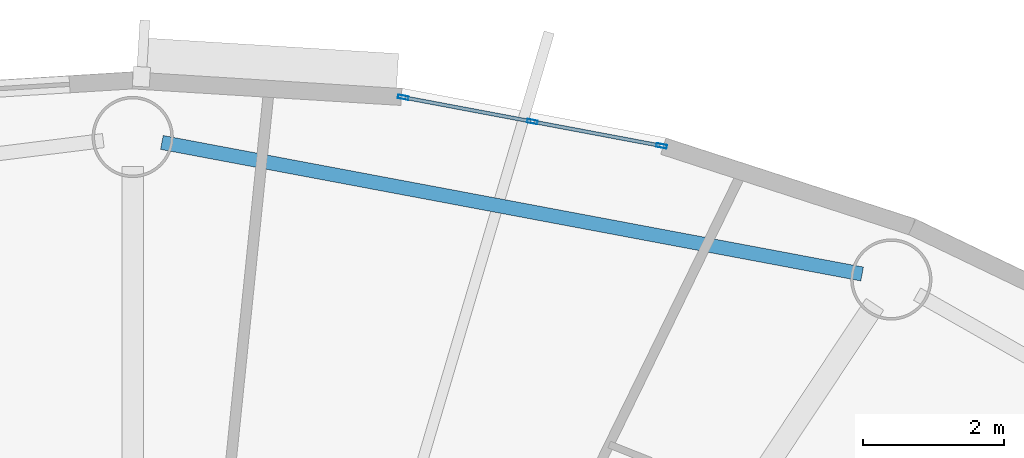
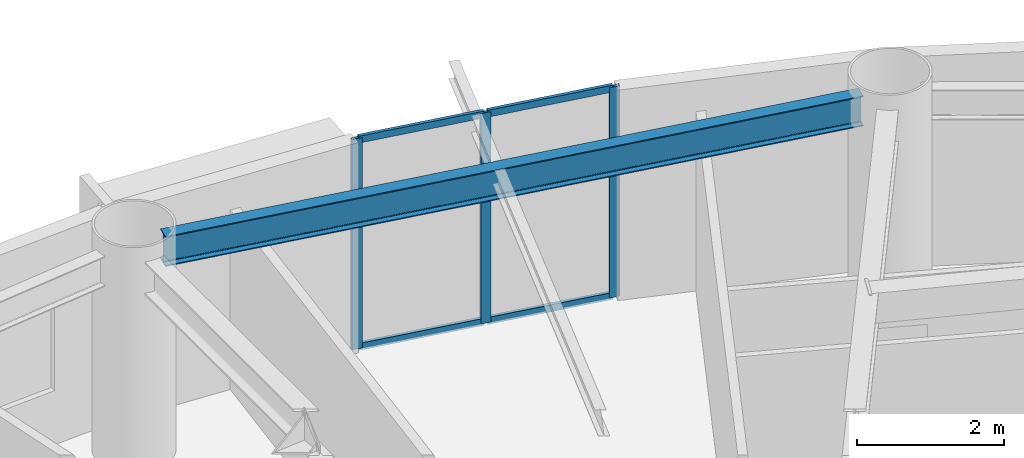
# One storey, part 5 of 21: 7 members, 1 beam, 1 element without a shape of its own.
"""IFC4 building model written with IfcOpenShell, lengths in metres."""

from ifc_helpers import new_model, si_unit, direction, frame, origin, origin_2d, place, context, subcontext, project, spatial, hollow_rectangle, i_section, extrude, source, transform, mapped, material, layer, layer_set, material_profile, profile_set, type_object, element, aggregate, save


model = new_model("IFC4")

# Units and contexts
model_context = context("Model", 3, precision=1e-05, world=origin(), true_north=direction((0.0, 1.0)))
body_context = subcontext(model_context, "Body", "Model", "MODEL_VIEW")
ifc_project = project(units=[si_unit("LENGTHUNIT", "METRE"), si_unit("AREAUNIT", "SQUARE_METRE"), si_unit("VOLUMEUNIT", "CUBIC_METRE"), si_unit("PLANEANGLEUNIT", "RADIAN"), si_unit("MASSUNIT", "GRAM", prefix="KILO")], contexts=[model_context])

# Site, building, storey
site_placement = place(None, origin())
site = spatial("IfcSite", under=ifc_project, at=site_placement, CompositionType="ELEMENT")
building_placement = place(site_placement, origin())
building = spatial("IfcBuilding", under=site, at=building_placement, Name="Linh Dai School and Residence Tower", CompositionType="ELEMENT")
storey_placement = place(building_placement, frame((0.0, 0.0, 229.050048828125)))
storey = spatial("IfcBuildingStorey", under=building, at=storey_placement, Name="L56", CompositionType="ELEMENT", Elevation=229.050048828125)

# Beam
ifc_material_1 = material(Name="Structural Steel S355JR", Category="steel")
ifc_material_profile_1 = material_profile(ifc_material_1, i_section(OverallWidth=0.199951171875, OverallDepth=0.5, WebThickness=0.01025390625, FlangeThickness=0.01611328125, FilletRadius=0.02099609375, at=origin_2d()), Name="IPE 500")
ifc_profile_set_1 = profile_set([ifc_material_profile_1], Name="Structural Steel S355JR")
beam_type = type_object("IfcBeamType", Name="BM-RB50", PredefinedType="BEAM", material=ifc_profile_set_1)
beam_placement = place(storey_placement, frame((46.32177734375, 43.240966796875, 3.25), z_axis=(-0.982806607762, 0.184637947722, 0.0), x_axis=(-0.184637947722, -0.982806607762, 0.0)))
element("IfcBeam", 1, at=beam_placement, inside=storey, type_object=beam_type, Name="L56 Perimeter Elliptical Ring Beam 04", PredefinedType="BEAM", context=body_context, shape_type="SweptSolid", body=[
    extrude(i_section(OverallWidth=0.199951171875, OverallDepth=0.5, WebThickness=0.01025390625, FlangeThickness=0.01611328125, FilletRadius=0.02099609375, at=origin_2d()), origin(), (0.0, 0.0, 1.0), 10.082275390625),
])

# Curtain wall, members
ifc_material_2 = material(Name="Aluminium Anodised Curtain Wall", Category="aluminium")
ifc_layer = layer(ifc_material_2, 0.14990234375)
ifc_layer_set = layer_set([ifc_layer], Name="Aluminium Anodised Curtain Wall")
curtain_wall_type = type_object("IfcCurtainWallType", Name="CW-SYS-4", PredefinedType="USERDEFINED", material=ifc_layer_set)
curtain_wall_placement = place(storey_placement, origin())
curtain_wall = element("IfcCurtainWall", 2, at=curtain_wall_placement, inside=storey, type_object=curtain_wall_type, Name="L56 CW4 Curtain Wall 09", ObjectType="RIBBON CURTAIN WALL", PredefinedType="USERDEFINED")
ifc_material_3 = material(Name="Aluminium Alloy 6063-T6", Category="aluminium")
ifc_material_profile_2 = material_profile(ifc_material_3, hollow_rectangle(XDim=0.052001953125, YDim=0.14990234375, WallThickness=0.00390625, at=origin_2d()), Name="RHS 150x52x4")
ifc_profile_set_2 = profile_set([ifc_material_profile_2], Name="Aluminium Alloy 6063-T6")
member_type_1 = type_object("IfcMemberType", Name="CW-SYS-4-MUL", PredefinedType="MULLION", material=ifc_profile_set_2)
shared_shape_1 = source(origin(), body_context, "Body", "SweptSolid", [
    extrude(hollow_rectangle(XDim=0.052001953125, YDim=0.14990234375, WallThickness=0.00390625, at=origin_2d()), origin(), (0.0, 0.0, 1.0), 3.5),
])
member_1_placement = place(storey_placement, frame((39.8271484375, 45.740966796875, 0.0), z_axis=(0.0, 0.0, 1.0), x_axis=(0.18474448537, 0.982786586765, 0.0)))
member_1 = element("IfcMember", 3, at=member_1_placement, type_object=member_type_1, Name="CW4 mullion 1", PredefinedType="MULLION", context=body_context, shape_type="MappedRepresentation", body=[
    mapped(shared_shape_1, transform((0.0, 0.0, 0.0), x_axis=(1.0, 0.0, 0.0), y_axis=(0.0, 1.0, 0.0), z_axis=(0.0, 0.0, 1.0), scale=1.0)),
])
member_2_placement = place(storey_placement, frame((41.655517578125, 45.397216796875, 0.0), z_axis=(0.0, 0.0, 1.0), x_axis=(0.18474448537, 0.982786586765, 0.0)))
member_2 = element("IfcMember", 4, at=member_2_placement, type_object=member_type_1, Name="CW4 mullion 2", PredefinedType="MULLION", context=body_context, shape_type="MappedRepresentation", body=[
    mapped(shared_shape_1, transform((0.0, 0.0, 0.0), x_axis=(1.0, 0.0, 0.0), y_axis=(0.0, 1.0, 0.0), z_axis=(0.0, 0.0, 1.0), scale=1.0)),
])
member_3_placement = place(storey_placement, frame((43.483642578125, 45.0537109375, 0.0), z_axis=(0.0, 0.0, 1.0), x_axis=(0.18474448537, 0.982786586765, 0.0)))
member_3 = element("IfcMember", 5, at=member_3_placement, type_object=member_type_1, Name="CW4 mullion 3", PredefinedType="MULLION", context=body_context, shape_type="MappedRepresentation", body=[
    mapped(shared_shape_1, transform((0.0, 0.0, 0.0), x_axis=(1.0, 0.0, 0.0), y_axis=(0.0, 1.0, 0.0), z_axis=(0.0, 0.0, 1.0), scale=1.0)),
])
ifc_material_profile_3 = material_profile(ifc_material_3, hollow_rectangle(XDim=0.052001953125, YDim=0.114990234375, WallThickness=0.00390625, at=origin_2d()), Name="RHS 115x52x4")
ifc_profile_set_3 = profile_set([ifc_material_profile_3], Name="Aluminium Alloy 6063-T6")
member_type_2 = type_object("IfcMemberType", Name="CW-SYS-4-TRN", PredefinedType="USERDEFINED", material=ifc_profile_set_3)
shared_shape_2 = source(origin(), body_context, "Body", "SweptSolid", [
    extrude(hollow_rectangle(XDim=0.052001953125, YDim=0.114990234375, WallThickness=0.00390625, at=origin_2d()), origin(), (0.0, 0.0, 1.0), 1.80810546875),
])
member_4_placement = place(storey_placement, frame((39.852783203125, 45.736083984375, 0.02587890625), z_axis=(0.982794145363, -0.184704271309, 0.0), x_axis=(0.184704271309, 0.982794145363, 0.0)))
member_4 = element("IfcMember", 6, at=member_4_placement, type_object=member_type_2, Name="CW4 transom 1.1", ObjectType="TRANSOM", PredefinedType="USERDEFINED", context=body_context, shape_type="MappedRepresentation", body=[
    mapped(shared_shape_2, transform((0.0, 0.0, 0.0), x_axis=(1.0, 0.0, 0.0), y_axis=(0.0, 1.0, 0.0), z_axis=(0.0, 0.0, 1.0), scale=1.0)),
])
member_5_placement = place(storey_placement, frame((39.852783203125, 45.736083984375, 3.473876953125), z_axis=(0.982794145363, -0.184704271309, 0.0), x_axis=(0.184704271309, 0.982794145363, 0.0)))
member_5 = element("IfcMember", 7, at=member_5_placement, type_object=member_type_2, Name="CW4 transom 1.2", ObjectType="TRANSOM", PredefinedType="USERDEFINED", context=body_context, shape_type="MappedRepresentation", body=[
    mapped(shared_shape_2, transform((0.0, 0.0, 0.0), x_axis=(1.0, 0.0, 0.0), y_axis=(0.0, 1.0, 0.0), z_axis=(0.0, 0.0, 1.0), scale=1.0)),
])
shared_shape_3 = source(origin(), body_context, "Body", "SweptSolid", [
    extrude(hollow_rectangle(XDim=0.052001953125, YDim=0.114990234375, WallThickness=0.00390625, at=origin_2d()), origin(), (0.0, 0.0, 1.0), 1.808349609375),
])
member_6_placement = place(storey_placement, frame((41.680908203125, 45.392578125, 0.02587890625), z_axis=(0.982769628055, -0.184834677951, 0.0), x_axis=(0.184834677951, 0.982769628055, 0.0)))
member_6 = element("IfcMember", 8, at=member_6_placement, type_object=member_type_2, Name="CW4 transom 2.1", ObjectType="TRANSOM", PredefinedType="USERDEFINED", context=body_context, shape_type="MappedRepresentation", body=[
    mapped(shared_shape_3, transform((0.0, 0.0, 0.0), x_axis=(1.0, 0.0, 0.0), y_axis=(0.0, 1.0, 0.0), z_axis=(0.0, 0.0, 1.0), scale=1.0)),
])
member_7_placement = place(storey_placement, frame((41.680908203125, 45.392578125, 3.473876953125), z_axis=(0.982769628055, -0.184834677951, 0.0), x_axis=(0.184834677951, 0.982769628055, 0.0)))
member_7 = element("IfcMember", 9, at=member_7_placement, type_object=member_type_2, Name="CW4 transom 2.2", ObjectType="TRANSOM", PredefinedType="USERDEFINED", context=body_context, shape_type="MappedRepresentation", body=[
    mapped(shared_shape_3, transform((0.0, 0.0, 0.0), x_axis=(1.0, 0.0, 0.0), y_axis=(0.0, 1.0, 0.0), z_axis=(0.0, 0.0, 1.0), scale=1.0)),
])
aggregate(curtain_wall, [member_1, member_2, member_3, member_4, member_5, member_6, member_7])

save(model, "model.ifc")
